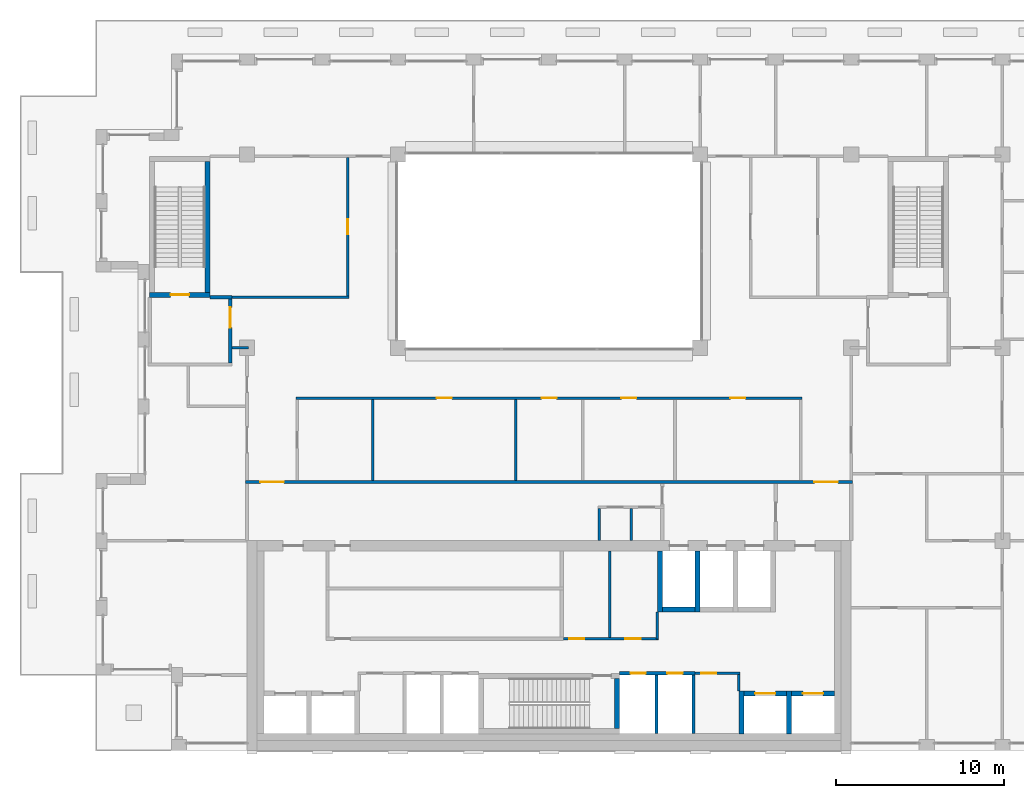
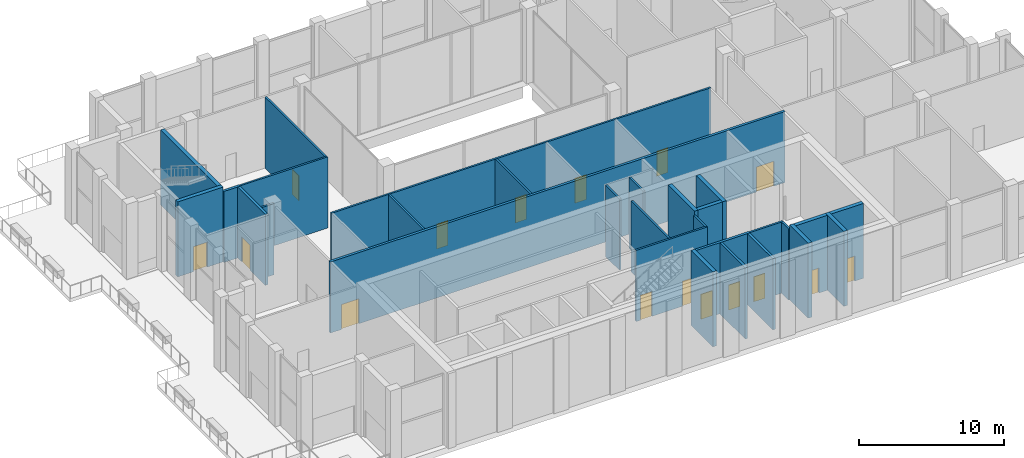
# One storey, part 13 of 18: 29 walls, 16 doors, 16 openings.
"""IFC4 building model written with IfcOpenShell, lengths in metres."""

from ifc_helpers import new_model, si_unit, direction, frame, frame_2d, origin, place, context, subcontext, project, spatial, rectangle, extrude, material, layer, layer_set, type_object, element, fill, save


model = new_model("IFC4")

# Units and contexts
model_context = context("Model", 3, precision=1e-05, world=origin(), true_north=direction((0.0, 1.0)))
body_context = subcontext(model_context, "Body", "Model", "MODEL_VIEW")
ifc_project = project(units=[si_unit("LENGTHUNIT", "METRE"), si_unit("AREAUNIT", "SQUARE_METRE"), si_unit("VOLUMEUNIT", "CUBIC_METRE"), si_unit("PLANEANGLEUNIT", "RADIAN"), si_unit("MASSUNIT", "GRAM", prefix="KILO")], contexts=[model_context])

# Site, building, storey
site_placement = place(None, origin())
site = spatial("IfcSite", under=ifc_project, at=site_placement, CompositionType="ELEMENT")
building_placement = place(site_placement, origin())
building = spatial("IfcBuilding", under=site, at=building_placement, Name="Brigalow Station Residences", CompositionType="ELEMENT")
storey_placement = place(building_placement, frame((0.0, 0.0, 191.699951171875)))
storey = spatial("IfcBuildingStorey", under=building, at=storey_placement, Name="L55", CompositionType="ELEMENT", Elevation=191.699951171875)

# Walls
ifc_material_1 = material(Name="Concrete C50", Category="concrete")
ifc_layer_1 = layer(ifc_material_1, 0.300048828125)
ifc_layer_set_1 = layer_set([ifc_layer_1], Name="CORE SHEAR WALL 300 C50")
wall_type_1 = type_object("IfcWallType", Name="CORE SHEAR WALL 300 C50", PredefinedType="SHEAR", material=ifc_layer_set_1)
wall_1_placement = place(storey_placement, frame((42.75, 8.39990234375, 0.0), z_axis=(0.0, 0.0, 1.0), x_axis=(1.0, 0.0, 0.0)))
element("IfcWall", 1, at=wall_1_placement, inside=storey, type_object=wall_type_1, Name="CORE WALL SH-FF1-S L55", PredefinedType="SHEAR", context=body_context, shape_type="SweptSolid", body=[
    extrude(rectangle(XDim=1.949951171875, YDim=0.300048828125, at=frame_2d((0.97509765625, 0.0))), origin(), (0.0, 0.0, 1.0), 6.300048828125),
])
for number, where, z_axis, x_axis, name in (
    (2, (42.60009765625, 8.25, 0.0), (0.0, 0.0, 1.0), (0.0, 1.0, 0.0), "CORE WALL SH-FF1-W L55"),
    (3, (44.85009765625, 8.25, 0.0), (0.0, 0.0, 1.0), (0.0, 1.0, 0.0), "CORE WALL SH-FF2-W L55"),
):
    element("IfcWall", number, at=place(storey_placement, frame(where, z_axis=z_axis, x_axis=x_axis)), inside=storey, type_object=wall_type_1, Name=name, PredefinedType="SHEAR", context=body_context, shape_type="SweptSolid", body=[
        extrude(rectangle(XDim=3.64990234375, YDim=0.300048828125, at=frame_2d((1.824951171875, 0.0))), origin(), (0.0, 0.0, 1.0), 6.300048828125),
    ])

# Wall, opening, door
wall_2_placement = place(storey_placement, frame((47.60009765625, 3.39990234375, 0.0), z_axis=(0.0, 0.0, 1.0), x_axis=(1.0, 0.0, 0.0)))
wall_2 = element("IfcWall", 4, at=wall_2_placement, inside=storey, type_object=wall_type_1, Name="CORE WALL SH-C3-N L55", PredefinedType="SHEAR", context=body_context, shape_type="SweptSolid", body=[
    extrude(rectangle(XDim=2.5498046875, YDim=0.300048828125, at=frame_2d((1.27490234375, 0.0))), origin(), (0.0, 0.0, 1.0), 6.300048828125),
])
opening_1_placement = place(wall_2_placement, frame((0.675048828125, 0.0, 0.0)))
opening_1 = element("IfcOpeningElement", 5, at=opening_1_placement, cuts=wall_2, Name="Opening LD-LB3", PredefinedType="OPENING", context=body_context, shape_type="SweptSolid", body=[
    extrude(rectangle(XDim=1.199951171875, YDim=2.10009765625, at=frame_2d((0.60009765625, 1.050048828125))), frame((0.0, 0.16015625, 0.0), z_axis=(0.0, -1.0, 0.0), x_axis=(1.0, 0.0, 0.0)), (0.0, 0.0, 1.0), 0.320068359375),
])
ifc_material_2 = material(Name="Stainless steel sliding door leaves", Category="steel")
door_type_1 = type_object("IfcDoorType", Name="LIFT LANDING DOOR 1200 x 2100", OperationType="DOUBLE_DOOR_SLIDING", PredefinedType="DOOR", material=ifc_material_2)
door_1_placement = place(opening_1_placement, origin())
door_1 = element("IfcDoor", 6, at=door_1_placement, inside=storey, type_object=door_type_1, Name="LANDING DOOR LB3", OperationType="DOUBLE_DOOR_SLIDING", OverallHeight=2.10009765625, OverallWidth=1.199951171875, PredefinedType="DOOR", context=body_context, shape_type="SweptSolid", body=[
    extrude(rectangle(XDim=1.199951171875, YDim=2.10009765625, at=frame_2d((0.60009765625, 1.050048828125))), frame((0.0, 0.02490234375, 0.0), z_axis=(0.0, -1.0, 0.0), x_axis=(1.0, 0.0, 0.0)), (0.0, 0.0, 1.0), 0.050048828125),
])
fill(opening_1, door_1)

# Wall
wall_3_placement = place(storey_placement, frame((47.449951171875, 1.0, 0.0), z_axis=(0.0, 0.0, 1.0), x_axis=(0.0, 1.0, 0.0)))
element("IfcWall", 7, at=wall_3_placement, inside=storey, type_object=wall_type_1, Name="CORE WALL SH-C3-W L55", PredefinedType="SHEAR", context=body_context, shape_type="SweptSolid", body=[
    extrude(rectangle(XDim=2.550048828125, YDim=0.300048828125, at=frame_2d((1.27490234375, 0.0))), origin(), (0.0, 0.0, 1.0), 6.300048828125),
])

# Wall, opening, door
wall_4_placement = place(storey_placement, frame((50.449951171875, 3.39990234375, 0.0), z_axis=(0.0, 0.0, 1.0), x_axis=(1.0, 0.0, 0.0)))
wall_4 = element("IfcWall", 8, at=wall_4_placement, inside=storey, type_object=wall_type_1, Name="CORE WALL SH-C4-N L55", PredefinedType="SHEAR", context=body_context, shape_type="SweptSolid", body=[
    extrude(rectangle(XDim=2.550048828125, YDim=0.300048828125, at=frame_2d((1.27490234375, 0.0))), origin(), (0.0, 0.0, 1.0), 6.300048828125),
])
opening_2_placement = place(wall_4_placement, frame((0.675048828125, 0.0, 0.0)))
opening_2 = element("IfcOpeningElement", 9, at=opening_2_placement, cuts=wall_4, Name="Opening LD-LB4", PredefinedType="OPENING", context=body_context, shape_type="SweptSolid", body=[
    extrude(rectangle(XDim=1.199951171875, YDim=2.10009765625, at=frame_2d((0.60009765625, 1.050048828125))), frame((0.0, 0.16015625, 0.0), z_axis=(0.0, -1.0, 0.0), x_axis=(1.0, 0.0, 0.0)), (0.0, 0.0, 1.0), 0.320068359375),
])
door_2_placement = place(opening_2_placement, origin())
door_2 = element("IfcDoor", 10, at=door_2_placement, inside=storey, type_object=door_type_1, Name="LANDING DOOR LB4", OperationType="DOUBLE_DOOR_SLIDING", OverallHeight=2.10009765625, OverallWidth=1.199951171875, PredefinedType="DOOR", context=body_context, shape_type="SweptSolid", body=[
    extrude(rectangle(XDim=1.199951171875, YDim=2.10009765625, at=frame_2d((0.60009765625, 1.050048828125))), frame((0.0, 0.02490234375, 0.0), z_axis=(0.0, -1.0, 0.0), x_axis=(1.0, 0.0, 0.0)), (0.0, 0.0, 1.0), 0.050048828125),
])
fill(opening_2, door_2)

# Walls
wall_5_placement = place(storey_placement, frame((50.300048828125, 1.0, 0.0), z_axis=(0.0, 0.0, 1.0), x_axis=(0.0, 1.0, 0.0)))
element("IfcWall", 11, at=wall_5_placement, inside=storey, type_object=wall_type_1, Name="CORE WALL SH-C4-W L55", PredefinedType="SHEAR", context=body_context, shape_type="SweptSolid", body=[
    extrude(rectangle(XDim=2.550048828125, YDim=0.300048828125, at=frame_2d((1.27490234375, 0.0))), origin(), (0.0, 0.0, 1.0), 6.300048828125),
])
wall_6_placement = place(storey_placement, frame((40.050048828125, 1.300048828125, 0.0), z_axis=(0.0, 0.0, 1.0), x_axis=(0.0, 1.0, 0.0)))
element("IfcWall", 12, at=wall_6_placement, inside=storey, type_object=wall_type_1, Name="CORE WALL ST-S2-E L55", PredefinedType="SHEAR", context=body_context, shape_type="SweptSolid", body=[
    extrude(rectangle(XDim=3.0, YDim=0.300048828125, at=frame_2d((1.5, 0.0))), origin(), (0.0, 0.0, 1.0), 6.300048828125),
])

# Wall, opening, door
wall_7_placement = place(storey_placement, frame((12.199951171875, 27.14990234375, 0.0), z_axis=(0.0, 0.0, 1.0), x_axis=(1.0, 0.0, 0.0)))
wall_7 = element("IfcWall", 13, at=wall_7_placement, inside=storey, type_object=wall_type_1, Name="CORE WALL ST-S1-S L55", PredefinedType="SHEAR", context=body_context, shape_type="SweptSolid", body=[
    extrude(rectangle(XDim=3.60009765625, YDim=0.300048828125, at=frame_2d((1.800048828125, 0.0))), origin(), (0.0, 0.0, 1.0), 6.300048828125),
])
opening_3_placement = place(wall_7_placement, frame((1.25, 0.0, 0.0)))
opening_3 = element("IfcOpeningElement", 14, at=opening_3_placement, cuts=wall_7, Name="Opening D-5015", PredefinedType="OPENING", context=body_context, shape_type="SweptSolid", body=[
    extrude(rectangle(XDim=1.10009765625, YDim=2.10009765625, at=frame_2d((0.550048828125, 1.050048828125))), frame((0.0, 0.16015625, 0.0), z_axis=(0.0, -1.0, 0.0), x_axis=(1.0, 0.0, 0.0)), (0.0, 0.0, 1.0), 0.320068359375),
])
ifc_material_3 = material(Name="Steel fire door leaf in steel frame", Category="steel")
door_type_2 = type_object("IfcDoorType", Name="STAIR DOOR 1100 x 2100 FD60S", OperationType="SINGLE_SWING_LEFT", PredefinedType="DOOR", material=ifc_material_3)
door_3_placement = place(opening_3_placement, origin())
door_3 = element("IfcDoor", 15, at=door_3_placement, inside=storey, type_object=door_type_2, Name="D-5015", OperationType="SINGLE_SWING_LEFT", OverallHeight=2.10009765625, OverallWidth=1.10009765625, PredefinedType="DOOR", context=body_context, shape_type="SweptSolid", body=[
    extrude(rectangle(XDim=1.10009765625, YDim=2.10009765625, at=frame_2d((0.550048828125, 1.050048828125))), frame((0.0, 0.02490234375, 0.0), z_axis=(0.0, -1.0, 0.0), x_axis=(1.0, 0.0, 0.0)), (0.0, 0.0, 1.0), 0.050048828125),
])
fill(opening_3, door_3)

# Wall
wall_8_placement = place(storey_placement, frame((15.64990234375, 27.300048828125, 0.0), z_axis=(0.0, 0.0, 1.0), x_axis=(0.0, 1.0, 0.0)))
element("IfcWall", 16, at=wall_8_placement, inside=storey, type_object=wall_type_1, Name="CORE WALL ST-S1-E L55", PredefinedType="SHEAR", context=body_context, shape_type="SweptSolid", body=[
    extrude(rectangle(XDim=7.800048828125, YDim=0.300048828125, at=frame_2d((3.89990234375, 0.0))), origin(), (0.0, 0.0, 1.0), 6.300048828125),
])

# Wall, openings, doors
ifc_material_4 = material(Name="Concrete blockwork", Category="masonry")
ifc_layer_2 = layer(ifc_material_4, 0.199951171875)
ifc_layer_set_2 = layer_set([ifc_layer_2], Name="FIRE RATED CORE PARTITION 200")
wall_type_2 = type_object("IfcWallType", Name="FIRE RATED CORE PARTITION 200", PredefinedType="PARTITIONING", material=ifc_layer_set_2)
wall_9_placement = place(storey_placement, frame((40.199951171875, 4.60009765625, 0.0), z_axis=(0.0, 0.0, 1.0), x_axis=(1.0, 0.0, 0.0)))
wall_9 = element("IfcWall", 17, at=wall_9_placement, inside=storey, type_object=wall_type_2, Name="PW-5018", PredefinedType="PARTITIONING", context=body_context, shape_type="SweptSolid", body=[
    extrude(rectangle(XDim=4.5, YDim=0.199951171875, at=frame_2d((2.25, 0.0))), origin(), (0.0, 0.0, 1.0), 5.97998046875),
])
opening_4_placement = place(wall_9_placement, frame((0.64990234375, 0.0, 0.0)))
opening_4 = element("IfcOpeningElement", 18, at=opening_4_placement, cuts=wall_9, Name="Opening D-5009", PredefinedType="OPENING", context=body_context, shape_type="SweptSolid", body=[
    extrude(rectangle(XDim=0.89990234375, YDim=2.10009765625, at=frame_2d((0.449951171875, 1.050048828125))), frame((0.0, 0.10986328125, 0.0), z_axis=(0.0, -1.0, 0.0), x_axis=(1.0, 0.0, 0.0)), (0.0, 0.0, 1.0), 0.219970703125),
])
opening_5_placement = place(wall_9_placement, frame((2.85009765625, 0.0, 0.0)))
opening_5 = element("IfcOpeningElement", 19, at=opening_5_placement, cuts=wall_9, Name="Opening D-5010", PredefinedType="OPENING", context=body_context, shape_type="SweptSolid", body=[
    extrude(rectangle(XDim=0.89990234375, YDim=2.10009765625, at=frame_2d((0.449951171875, 1.050048828125))), frame((0.0, 0.10986328125, 0.0), z_axis=(0.0, -1.0, 0.0), x_axis=(1.0, 0.0, 0.0)), (0.0, 0.0, 1.0), 0.219970703125),
])
ifc_material_5 = material(Name="Steel fire door leaf in steel frame", Category="steel")
door_type_3 = type_object("IfcDoorType", Name="RISER ACCESS DOOR 900 x 2100 FD120", OperationType="SINGLE_SWING_LEFT", PredefinedType="DOOR", material=ifc_material_5)
door_4_placement = place(opening_4_placement, frame((0.89990234375, 0.0, 0.0), z_axis=(0.0, 0.0, 1.0), x_axis=(-1.0, 0.0, 0.0)))
door_4 = element("IfcDoor", 20, at=door_4_placement, inside=storey, type_object=door_type_3, Name="D-5009", OperationType="SINGLE_SWING_LEFT", OverallHeight=2.10009765625, OverallWidth=0.89990234375, PredefinedType="DOOR", context=body_context, shape_type="SweptSolid", body=[
    extrude(rectangle(XDim=0.89990234375, YDim=2.10009765625, at=frame_2d((0.449951171875, 1.050048828125))), frame((0.0, 0.02490234375, 0.0), z_axis=(0.0, -1.0, 0.0), x_axis=(1.0, 0.0, 0.0)), (0.0, 0.0, 1.0), 0.050048828125),
])
fill(opening_4, door_4)
door_5_placement = place(opening_5_placement, frame((0.89990234375, 0.0, 0.0), z_axis=(0.0, 0.0, 1.0), x_axis=(-1.0, 0.0, 0.0)))
door_5 = element("IfcDoor", 21, at=door_5_placement, inside=storey, type_object=door_type_3, Name="D-5010", OperationType="SINGLE_SWING_LEFT", OverallHeight=2.10009765625, OverallWidth=0.89990234375, PredefinedType="DOOR", context=body_context, shape_type="SweptSolid", body=[
    extrude(rectangle(XDim=0.89990234375, YDim=2.10009765625, at=frame_2d((0.449951171875, 1.050048828125))), frame((0.0, 0.02490234375, 0.0), z_axis=(0.0, -1.0, 0.0), x_axis=(1.0, 0.0, 0.0)), (0.0, 0.0, 1.0), 0.050048828125),
])
fill(opening_5, door_5)

# Walls
wall_10_placement = place(storey_placement, frame((15.800048828125, 27.0, 0.0), z_axis=(0.0, 0.0, 1.0), x_axis=(1.0, 0.0, 0.0)))
element("IfcWall", 22, at=wall_10_placement, inside=storey, type_object=wall_type_2, Name="PW-5025", PredefinedType="PARTITIONING", context=body_context, shape_type="SweptSolid", body=[
    extrude(rectangle(XDim=1.300048828125, YDim=0.199951171875, at=frame_2d((0.64990234375, 0.0))), origin(), (0.0, 0.0, 1.0), 5.97998046875),
])
for number, where, z_axis, x_axis, name in (
    (23, (42.39990234375, 1.0, 0.0), (0.0, 0.0, 1.0), (0.0, 1.0, 0.0), "PW-5007"),
    (24, (44.60009765625, 1.0, 0.0), (0.0, 0.0, 1.0), (0.0, 1.0, 0.0), "PW-5008"),
):
    element("IfcWall", number, at=place(storey_placement, frame(where, z_axis=z_axis, x_axis=x_axis)), inside=storey, type_object=wall_type_2, Name=name, PredefinedType="PARTITIONING", context=body_context, shape_type="SweptSolid", body=[
        extrude(rectangle(XDim=3.5, YDim=0.199951171875, at=frame_2d((1.75, 0.0))), origin(), (0.0, 0.0, 1.0), 5.97998046875),
    ])

# Wall, opening, door
wall_11_placement = place(storey_placement, frame((17.0, 23.10009765625, 0.0), z_axis=(0.0, 0.0, 1.0), x_axis=(0.0, 1.0, 0.0)))
wall_11 = element("IfcWall", 25, at=wall_11_placement, inside=storey, type_object=wall_type_2, Name="PW-5035", PredefinedType="PARTITIONING", context=body_context, shape_type="SweptSolid", body=[
    extrude(rectangle(XDim=3.7998046875, YDim=0.199951171875, at=frame_2d((1.89990234375, 0.0))), origin(), (0.0, 0.0, 1.0), 5.97998046875),
])
opening_6_placement = place(wall_11_placement, frame((2.10009765625, 0.0, 0.0)))
opening_6 = element("IfcOpeningElement", 26, at=opening_6_placement, cuts=wall_11, Name="Opening D-5016", PredefinedType="OPENING", context=body_context, shape_type="SweptSolid", body=[
    extrude(rectangle(XDim=1.199951171875, YDim=2.10009765625, at=frame_2d((0.60009765625, 1.050048828125))), frame((0.0, 0.10986328125, 0.0), z_axis=(0.0, -1.0, 0.0), x_axis=(1.0, 0.0, 0.0)), (0.0, 0.0, 1.0), 0.219970703125),
])
ifc_material_6 = material(Name="Steel fire door leaf in steel frame", Category="steel")
door_type_4 = type_object("IfcDoorType", Name="STAIR LOBBY DOOR 1200 x 2100 FD60S", OperationType="SINGLE_SWING_LEFT", PredefinedType="DOOR", material=ifc_material_6)
door_6_placement = place(opening_6_placement, origin())
door_6 = element("IfcDoor", 27, at=door_6_placement, inside=storey, type_object=door_type_4, Name="D-5016", OperationType="SINGLE_SWING_RIGHT", OverallHeight=2.10009765625, OverallWidth=1.199951171875, PredefinedType="DOOR", context=body_context, shape_type="SweptSolid", body=[
    extrude(rectangle(XDim=1.199951171875, YDim=2.10009765625, at=frame_2d((0.60009765625, 1.050048828125))), frame((0.0, 0.02490234375, 0.0), z_axis=(0.0, -1.0, 0.0), x_axis=(1.0, 0.0, 0.0)), (0.0, 0.0, 1.0), 0.050048828125),
])
fill(opening_6, door_6)

# Wall, openings, doors
ifc_material_7 = material(Name="Plasterboard on steel stud partition", Category="steel")
ifc_layer_3 = layer(ifc_material_7, 0.14990234375)
ifc_layer_set_3 = layer_set([ifc_layer_3], Name="FLAT PARTITION 150")
wall_type_3 = type_object("IfcWallType", Name="FLAT PARTITION 150", PredefinedType="PARTITIONING", material=ifc_layer_set_3)
wall_12_placement = place(storey_placement, frame((20.925048828125, 21.0, 0.0), z_axis=(0.0, 0.0, 1.0), x_axis=(1.0, 0.0, 0.0)))
wall_12 = element("IfcWall", 28, at=wall_12_placement, inside=storey, type_object=wall_type_3, Name="PW-SA201", PredefinedType="PARTITIONING", context=body_context, shape_type="SweptSolid", body=[
    extrude(rectangle(XDim=30.14990234375, YDim=0.14990234375, at=frame_2d((15.074951171875, 0.0))), origin(), (0.0, 0.0, 1.0), 5.97998046875),
])
opening_7_placement = place(wall_12_placement, frame((8.375, 0.0, 0.0)))
opening_7 = element("IfcOpeningElement", 29, at=opening_7_placement, cuts=wall_12, Name="Opening D-SA217", PredefinedType="OPENING", context=body_context, shape_type="SweptSolid", body=[
    extrude(rectangle(XDim=0.89990234375, YDim=2.10009765625, at=frame_2d((0.449951171875, 1.050048828125))), frame((0.0, 0.0849609375, 0.0), z_axis=(0.0, -1.0, 0.0), x_axis=(1.0, 0.0, 0.0)), (0.0, 0.0, 1.0), 0.169921875),
])
opening_8_placement = place(wall_12_placement, frame((14.625, 0.0, 0.0)))
opening_8 = element("IfcOpeningElement", 30, at=opening_8_placement, cuts=wall_12, Name="Opening D-SA218", PredefinedType="OPENING", context=body_context, shape_type="SweptSolid", body=[
    extrude(rectangle(XDim=0.89990234375, YDim=2.10009765625, at=frame_2d((0.449951171875, 1.050048828125))), frame((0.0, 0.0849609375, 0.0), z_axis=(0.0, -1.0, 0.0), x_axis=(1.0, 0.0, 0.0)), (0.0, 0.0, 1.0), 0.169921875),
])
opening_9_placement = place(wall_12_placement, frame((19.375, 0.0, 0.0)))
opening_9 = element("IfcOpeningElement", 31, at=opening_9_placement, cuts=wall_12, Name="Opening D-SA219", PredefinedType="OPENING", context=body_context, shape_type="SweptSolid", body=[
    extrude(rectangle(XDim=0.89990234375, YDim=2.10009765625, at=frame_2d((0.449951171875, 1.050048828125))), frame((0.0, 0.0849609375, 0.0), z_axis=(0.0, -1.0, 0.0), x_axis=(1.0, 0.0, 0.0)), (0.0, 0.0, 1.0), 0.169921875),
])
opening_10_placement = place(wall_12_placement, frame((25.875, 0.0, 0.0)))
opening_10 = element("IfcOpeningElement", 32, at=opening_10_placement, cuts=wall_12, Name="Opening D-SA220", PredefinedType="OPENING", context=body_context, shape_type="SweptSolid", body=[
    extrude(rectangle(XDim=0.89990234375, YDim=2.10009765625, at=frame_2d((0.449951171875, 1.050048828125))), frame((0.0, 0.0849609375, 0.0), z_axis=(0.0, -1.0, 0.0), x_axis=(1.0, 0.0, 0.0)), (0.0, 0.0, 1.0), 0.169921875),
])
ifc_material_8 = material(Name="Solid-core timber door leaf", Category="wood")
door_type_5 = type_object("IfcDoorType", Name="INTERNAL DOOR 900 x 2100", OperationType="SINGLE_SWING_LEFT", PredefinedType="DOOR", material=ifc_material_8)
door_7_placement = place(opening_7_placement, frame((0.89990234375, 0.0, 0.0), z_axis=(0.0, 0.0, 1.0), x_axis=(-1.0, 0.0, 0.0)))
door_7 = element("IfcDoor", 33, at=door_7_placement, inside=storey, type_object=door_type_5, Name="D-SA217", OperationType="SINGLE_SWING_RIGHT", OverallHeight=2.10009765625, OverallWidth=0.89990234375, PredefinedType="DOOR", context=body_context, shape_type="SweptSolid", body=[
    extrude(rectangle(XDim=0.89990234375, YDim=2.10009765625, at=frame_2d((0.449951171875, 1.050048828125))), frame((0.0, 0.02490234375, 0.0), z_axis=(0.0, -1.0, 0.0), x_axis=(1.0, 0.0, 0.0)), (0.0, 0.0, 1.0), 0.050048828125),
])
fill(opening_7, door_7)
door_8_placement = place(opening_8_placement, frame((0.89990234375, 0.0, 0.0), z_axis=(0.0, 0.0, 1.0), x_axis=(-1.0, 0.0, 0.0)))
door_8 = element("IfcDoor", 34, at=door_8_placement, inside=storey, type_object=door_type_5, Name="D-SA218", OperationType="SINGLE_SWING_RIGHT", OverallHeight=2.10009765625, OverallWidth=0.89990234375, PredefinedType="DOOR", context=body_context, shape_type="SweptSolid", body=[
    extrude(rectangle(XDim=0.89990234375, YDim=2.10009765625, at=frame_2d((0.449951171875, 1.050048828125))), frame((0.0, 0.02490234375, 0.0), z_axis=(0.0, -1.0, 0.0), x_axis=(1.0, 0.0, 0.0)), (0.0, 0.0, 1.0), 0.050048828125),
])
fill(opening_8, door_8)
door_9_placement = place(opening_9_placement, frame((0.89990234375, 0.0, 0.0), z_axis=(0.0, 0.0, 1.0), x_axis=(-1.0, 0.0, 0.0)))
door_9 = element("IfcDoor", 35, at=door_9_placement, inside=storey, type_object=door_type_5, Name="D-SA219", OperationType="SINGLE_SWING_LEFT", OverallHeight=2.10009765625, OverallWidth=0.89990234375, PredefinedType="DOOR", context=body_context, shape_type="SweptSolid", body=[
    extrude(rectangle(XDim=0.89990234375, YDim=2.10009765625, at=frame_2d((0.449951171875, 1.050048828125))), frame((0.0, 0.02490234375, 0.0), z_axis=(0.0, -1.0, 0.0), x_axis=(1.0, 0.0, 0.0)), (0.0, 0.0, 1.0), 0.050048828125),
])
fill(opening_9, door_9)
door_10_placement = place(opening_10_placement, frame((0.89990234375, 0.0, 0.0), z_axis=(0.0, 0.0, 1.0), x_axis=(-1.0, 0.0, 0.0)))
door_10 = element("IfcDoor", 36, at=door_10_placement, inside=storey, type_object=door_type_5, Name="D-SA220", OperationType="SINGLE_SWING_RIGHT", OverallHeight=2.10009765625, OverallWidth=0.89990234375, PredefinedType="DOOR", context=body_context, shape_type="SweptSolid", body=[
    extrude(rectangle(XDim=0.89990234375, YDim=2.10009765625, at=frame_2d((0.449951171875, 1.050048828125))), frame((0.0, 0.02490234375, 0.0), z_axis=(0.0, -1.0, 0.0), x_axis=(1.0, 0.0, 0.0)), (0.0, 0.0, 1.0), 0.050048828125),
])
fill(opening_10, door_10)

# Walls
wall_13_placement = place(storey_placement, frame((17.10009765625, 27.0, 0.0), z_axis=(0.0, 0.0, 1.0), x_axis=(1.0, 0.0, 0.0)))
element("IfcWall", 37, at=wall_13_placement, inside=storey, type_object=wall_type_3, Name="PW-SA202", PredefinedType="PARTITIONING", context=body_context, shape_type="SweptSolid", body=[
    extrude(rectangle(XDim=6.974853515625, YDim=0.14990234375, at=frame_2d((3.4873046875, 0.0))), origin(), (0.0, 0.0, 1.0), 5.97998046875),
])
wall_14_placement = place(storey_placement, frame((17.10009765625, 24.0, 0.0), z_axis=(0.0, 0.0, 1.0), x_axis=(1.0, 0.0, 0.0)))
element("IfcWall", 38, at=wall_14_placement, inside=storey, type_object=wall_type_3, Name="PW-SA204", PredefinedType="PARTITIONING", context=body_context, shape_type="SweptSolid", body=[
    extrude(rectangle(XDim=0.974853515625, YDim=0.14990234375, at=frame_2d((0.4873046875, 0.0))), origin(), (0.0, 0.0, 1.0), 5.97998046875),
])

# Wall, opening, door
wall_15_placement = place(storey_placement, frame((24.0, 27.074951171875, 0.0), z_axis=(0.0, 0.0, 1.0), x_axis=(0.0, 1.0, 0.0)))
wall_15 = element("IfcWall", 39, at=wall_15_placement, inside=storey, type_object=wall_type_3, Name="PW-SA224", PredefinedType="PARTITIONING", context=body_context, shape_type="SweptSolid", body=[
    extrude(rectangle(XDim=8.25, YDim=0.14990234375, at=frame_2d((4.125, 0.0))), origin(), (0.0, 0.0, 1.0), 5.97998046875),
])
opening_11_placement = place(wall_15_placement, frame((3.675048828125, 0.0, 0.0)))
opening_11 = element("IfcOpeningElement", 40, at=opening_11_placement, cuts=wall_15, Name="Opening D-SA205", PredefinedType="OPENING", context=body_context, shape_type="SweptSolid", body=[
    extrude(rectangle(XDim=0.89990234375, YDim=2.10009765625, at=frame_2d((0.449951171875, 1.050048828125))), frame((0.0, 0.0849609375, 0.0), z_axis=(0.0, -1.0, 0.0), x_axis=(1.0, 0.0, 0.0)), (0.0, 0.0, 1.0), 0.169921875),
])
door_11_placement = place(opening_11_placement, origin())
door_11 = element("IfcDoor", 41, at=door_11_placement, inside=storey, type_object=door_type_5, Name="D-SA205", OperationType="SINGLE_SWING_LEFT", OverallHeight=2.10009765625, OverallWidth=0.89990234375, PredefinedType="DOOR", context=body_context, shape_type="SweptSolid", body=[
    extrude(rectangle(XDim=0.89990234375, YDim=2.10009765625, at=frame_2d((0.449951171875, 1.050048828125))), frame((0.0, 0.02490234375, 0.0), z_axis=(0.0, -1.0, 0.0), x_axis=(1.0, 0.0, 0.0)), (0.0, 0.0, 1.0), 0.050048828125),
])
fill(opening_11, door_11)

# Walls
for number, where, z_axis, x_axis, name in (
    (42, (25.5, 16.10009765625, 0.0), (0.0, 0.0, 1.0), (0.0, 1.0, 0.0), "PW-SA235"),
    (43, (34.0, 16.10009765625, 0.0), (0.0, 0.0, 1.0), (0.0, 1.0, 0.0), "PW-SA236"),
):
    element("IfcWall", number, at=place(storey_placement, frame(where, z_axis=z_axis, x_axis=x_axis)), inside=storey, type_object=wall_type_3, Name=name, PredefinedType="PARTITIONING", context=body_context, shape_type="SweptSolid", body=[
        extrude(rectangle(XDim=4.824951171875, YDim=0.14990234375, at=frame_2d((2.41259765625, 0.0))), origin(), (0.0, 0.0, 1.0), 5.97998046875),
    ])

# Wall, openings, doors
ifc_material_9 = material(Name="Plasterboard on steel stud partition", Category="steel")
ifc_layer_4 = layer(ifc_material_9, 0.199951171875)
ifc_layer_set_4 = layer_set([ifc_layer_4], Name="PARTY AND CORRIDOR WALL 200")
wall_type_4 = type_object("IfcWallType", Name="PARTY AND CORRIDOR WALL 200", PredefinedType="PARTITIONING", material=ifc_layer_set_4)
wall_16_placement = place(storey_placement, frame((17.925048828125, 16.0, 0.0), z_axis=(0.0, 0.0, 1.0), x_axis=(1.0, 0.0, 0.0)))
wall_16 = element("IfcWall", 44, at=wall_16_placement, inside=storey, type_object=wall_type_4, Name="PW-SA219", PredefinedType="PARTITIONING", context=body_context, shape_type="SweptSolid", body=[
    extrude(rectangle(XDim=36.14990234375, YDim=0.199951171875, at=frame_2d((18.074951171875, 0.0))), origin(), (0.0, 0.0, 1.0), 5.97998046875),
])
opening_12_placement = place(wall_16_placement, frame((0.875, 0.0, 0.0)))
opening_12 = element("IfcOpeningElement", 45, at=opening_12_placement, cuts=wall_16, Name="Opening D-SA201", PredefinedType="OPENING", context=body_context, shape_type="SweptSolid", body=[
    extrude(rectangle(XDim=1.39990234375, YDim=2.10009765625, at=frame_2d((0.699951171875, 1.050048828125))), frame((0.0, 0.10986328125, 0.0), z_axis=(0.0, -1.0, 0.0), x_axis=(1.0, 0.0, 0.0)), (0.0, 0.0, 1.0), 0.219970703125),
])
opening_13_placement = place(wall_16_placement, frame((33.875, 0.0, 0.0)))
opening_13 = element("IfcOpeningElement", 46, at=opening_13_placement, cuts=wall_16, Name="Opening D-SA202", PredefinedType="OPENING", context=body_context, shape_type="SweptSolid", body=[
    extrude(rectangle(XDim=1.39990234375, YDim=2.10009765625, at=frame_2d((0.699951171875, 1.050048828125))), frame((0.0, 0.10986328125, 0.0), z_axis=(0.0, -1.0, 0.0), x_axis=(1.0, 0.0, 0.0)), (0.0, 0.0, 1.0), 0.219970703125),
])
ifc_material_10 = material(Name="Solid-core timber door leaf", Category="wood")
door_type_6 = type_object("IfcDoorType", Name="CORRIDOR FIRE DOOR 1400 x 2100 FRL -/60/30", OperationType="DOUBLE_DOOR_SINGLE_SWING", PredefinedType="DOOR", material=ifc_material_10)
door_12_placement = place(opening_12_placement, frame((1.39990234375, 0.0, 0.0), z_axis=(0.0, 0.0, 1.0), x_axis=(-1.0, 0.0, 0.0)))
door_12 = element("IfcDoor", 47, at=door_12_placement, inside=storey, type_object=door_type_6, Name="D-SA201", OperationType="DOUBLE_DOOR_SINGLE_SWING", OverallHeight=2.10009765625, OverallWidth=1.39990234375, PredefinedType="DOOR", context=body_context, shape_type="SweptSolid", body=[
    extrude(rectangle(XDim=1.39990234375, YDim=2.10009765625, at=frame_2d((0.699951171875, 1.050048828125))), frame((0.0, 0.02490234375, 0.0), z_axis=(0.0, -1.0, 0.0), x_axis=(1.0, 0.0, 0.0)), (0.0, 0.0, 1.0), 0.050048828125),
])
fill(opening_12, door_12)
door_13_placement = place(opening_13_placement, frame((1.39990234375, 0.0, 0.0), z_axis=(0.0, 0.0, 1.0), x_axis=(-1.0, 0.0, 0.0)))
door_13 = element("IfcDoor", 48, at=door_13_placement, inside=storey, type_object=door_type_6, Name="D-SA202", OperationType="DOUBLE_DOOR_SINGLE_SWING", OverallHeight=2.10009765625, OverallWidth=1.39990234375, PredefinedType="DOOR", context=body_context, shape_type="SweptSolid", body=[
    extrude(rectangle(XDim=1.39990234375, YDim=2.10009765625, at=frame_2d((0.699951171875, 1.050048828125))), frame((0.0, 0.02490234375, 0.0), z_axis=(0.0, -1.0, 0.0), x_axis=(1.0, 0.0, 0.0)), (0.0, 0.0, 1.0), 0.050048828125),
])
fill(opening_13, door_13)

# Wall, opening, door
ifc_material_11 = material(Name="Plasterboard on steel studs", Category="steel")
ifc_layer_5 = layer(ifc_material_11, 0.14990234375)
ifc_layer_set_5 = layer_set([ifc_layer_5], Name="SERVICE ROOM PARTITION 150")
wall_type_5 = type_object("IfcWallType", Name="SERVICE ROOM PARTITION 150", PredefinedType="PARTITIONING", material=ifc_layer_set_5)
wall_17_placement = place(storey_placement, frame((44.699951171875, 4.60009765625, 0.0), z_axis=(0.0, 0.0, 1.0), x_axis=(1.0, 0.0, 0.0)))
wall_17 = element("IfcWall", 49, at=wall_17_placement, inside=storey, type_object=wall_type_5, Name="PW-5156", PredefinedType="PARTITIONING", context=body_context, shape_type="SweptSolid", body=[
    extrude(rectangle(XDim=2.675048828125, YDim=0.14990234375, at=frame_2d((1.33740234375, 0.0))), origin(), (0.0, 0.0, 1.0), 5.97998046875),
])
opening_14_placement = place(wall_17_placement, frame((0.35009765625, 0.0, 0.0)))
opening_14 = element("IfcOpeningElement", 50, at=opening_14_placement, cuts=wall_17, Name="Opening D-5026", PredefinedType="OPENING", context=body_context, shape_type="SweptSolid", body=[
    extrude(rectangle(XDim=0.89990234375, YDim=2.10009765625, at=frame_2d((0.449951171875, 1.050048828125))), frame((0.0, 0.0849609375, 0.0), z_axis=(0.0, -1.0, 0.0), x_axis=(1.0, 0.0, 0.0)), (0.0, 0.0, 1.0), 0.169921875),
])
ifc_material_12 = material(Name="Steel door leaf in steel frame", Category="steel")
door_type_7 = type_object("IfcDoorType", Name="SERVICE ROOM DOOR 900 x 2100 FD60", OperationType="SINGLE_SWING_LEFT", PredefinedType="DOOR", material=ifc_material_12)
door_14_placement = place(opening_14_placement, frame((0.89990234375, 0.0, 0.0), z_axis=(0.0, 0.0, 1.0), x_axis=(-1.0, 0.0, 0.0)))
door_14 = element("IfcDoor", 51, at=door_14_placement, inside=storey, type_object=door_type_7, Name="D-5026", OperationType="SINGLE_SWING_RIGHT", OverallHeight=2.10009765625, OverallWidth=0.89990234375, PredefinedType="DOOR", context=body_context, shape_type="SweptSolid", body=[
    extrude(rectangle(XDim=0.89990234375, YDim=2.10009765625, at=frame_2d((0.449951171875, 1.050048828125))), frame((0.0, 0.02490234375, 0.0), z_axis=(0.0, -1.0, 0.0), x_axis=(1.0, 0.0, 0.0)), (0.0, 0.0, 1.0), 0.050048828125),
])
fill(opening_14, door_14)

# Wall, openings, doors
wall_18_placement = place(storey_placement, frame((36.85009765625, 6.64990234375, 0.0), z_axis=(0.0, 0.0, 1.0), x_axis=(1.0, 0.0, 0.0)))
wall_18 = element("IfcWall", 52, at=wall_18_placement, inside=storey, type_object=wall_type_5, Name="PW-5260", PredefinedType="PARTITIONING", context=body_context, shape_type="SweptSolid", body=[
    extrude(rectangle(XDim=5.6748046875, YDim=0.14990234375, at=frame_2d((2.83740234375, 0.0))), origin(), (0.0, 0.0, 1.0), 5.97998046875),
])
opening_15_placement = place(wall_18_placement, frame((0.35009765625, 0.0, 0.0)))
opening_15 = element("IfcOpeningElement", 53, at=opening_15_placement, cuts=wall_18, Name="Opening D-5114", PredefinedType="OPENING", context=body_context, shape_type="SweptSolid", body=[
    extrude(rectangle(XDim=0.89990234375, YDim=2.10009765625, at=frame_2d((0.449951171875, 1.050048828125))), frame((0.0, 0.0849609375, 0.0), z_axis=(0.0, -1.0, 0.0), x_axis=(1.0, 0.0, 0.0)), (0.0, 0.0, 1.0), 0.169921875),
])
opening_16_placement = place(wall_18_placement, frame((3.699951171875, 0.0, 0.0)))
opening_16 = element("IfcOpeningElement", 54, at=opening_16_placement, cuts=wall_18, Name="Opening D-5115", PredefinedType="OPENING", context=body_context, shape_type="SweptSolid", body=[
    extrude(rectangle(XDim=0.89990234375, YDim=2.10009765625, at=frame_2d((0.449951171875, 1.050048828125))), frame((0.0, 0.0849609375, 0.0), z_axis=(0.0, -1.0, 0.0), x_axis=(1.0, 0.0, 0.0)), (0.0, 0.0, 1.0), 0.169921875),
])
door_15_placement = place(opening_15_placement, origin())
door_15 = element("IfcDoor", 55, at=door_15_placement, inside=storey, type_object=door_type_7, Name="D-5114", OperationType="SINGLE_SWING_LEFT", OverallHeight=2.10009765625, OverallWidth=0.89990234375, PredefinedType="DOOR", context=body_context, shape_type="SweptSolid", body=[
    extrude(rectangle(XDim=0.89990234375, YDim=2.10009765625, at=frame_2d((0.449951171875, 1.050048828125))), frame((0.0, 0.02490234375, 0.0), z_axis=(0.0, -1.0, 0.0), x_axis=(1.0, 0.0, 0.0)), (0.0, 0.0, 1.0), 0.050048828125),
])
fill(opening_15, door_15)
door_16_placement = place(opening_16_placement, origin())
door_16 = element("IfcDoor", 56, at=door_16_placement, inside=storey, type_object=door_type_7, Name="D-5115", OperationType="SINGLE_SWING_LEFT", OverallHeight=2.10009765625, OverallWidth=0.89990234375, PredefinedType="DOOR", context=body_context, shape_type="SweptSolid", body=[
    extrude(rectangle(XDim=0.89990234375, YDim=2.10009765625, at=frame_2d((0.449951171875, 1.050048828125))), frame((0.0, 0.02490234375, 0.0), z_axis=(0.0, -1.0, 0.0), x_axis=(1.0, 0.0, 0.0)), (0.0, 0.0, 1.0), 0.050048828125),
])
fill(opening_16, door_16)

# Walls
wall_19_placement = place(storey_placement, frame((47.300048828125, 3.550048828125, 0.0), z_axis=(0.0, 0.0, 1.0), x_axis=(0.0, 1.0, 0.0)))
element("IfcWall", 57, at=wall_19_placement, inside=storey, type_object=wall_type_5, Name="PW-5158", PredefinedType="PARTITIONING", context=body_context, shape_type="SweptSolid", body=[
    extrude(rectangle(XDim=0.974853515625, YDim=0.14990234375, at=frame_2d((0.4873046875, 0.0))), origin(), (0.0, 0.0, 1.0), 5.97998046875),
])
wall_20_placement = place(storey_placement, frame((42.449951171875, 6.64990234375, 0.0), z_axis=(0.0, 0.0, 1.0), x_axis=(0.0, 1.0, 0.0)))
element("IfcWall", 58, at=wall_20_placement, inside=storey, type_object=wall_type_5, Name="PW-5029", PredefinedType="PARTITIONING", context=body_context, shape_type="SweptSolid", body=[
    extrude(rectangle(XDim=1.60009765625, YDim=0.14990234375, at=frame_2d((0.800048828125, 0.0))), origin(), (0.0, 0.0, 1.0), 5.97998046875),
])
wall_21_placement = place(storey_placement, frame((39.60009765625, 6.72509765625, 0.0), z_axis=(0.0, 0.0, 1.0), x_axis=(0.0, 1.0, 0.0)))
element("IfcWall", 59, at=wall_21_placement, inside=storey, type_object=wall_type_5, Name="PW-5201", PredefinedType="PARTITIONING", context=body_context, shape_type="SweptSolid", body=[
    extrude(rectangle(XDim=5.1748046875, YDim=0.14990234375, at=frame_2d((2.58740234375, 0.0))), origin(), (0.0, 0.0, 1.0), 5.97998046875),
])
for number, where, z_axis, x_axis, name in (
    (60, (39.0, 12.5, 0.0), (0.0, 0.0, 1.0), (0.0, 1.0, 0.0), "PW-5136"),
    (61, (40.89990234375, 12.5, 0.0), (0.0, 0.0, 1.0), (0.0, 1.0, 0.0), "PW-5137"),
):
    element("IfcWall", number, at=place(storey_placement, frame(where, z_axis=z_axis, x_axis=x_axis)), inside=storey, type_object=wall_type_5, Name=name, PredefinedType="PARTITIONING", context=body_context, shape_type="SweptSolid", body=[
        extrude(rectangle(XDim=1.925048828125, YDim=0.14990234375, at=frame_2d((0.96240234375, 0.0))), origin(), (0.0, 0.0, 1.0), 5.97998046875),
    ])

save(model, "model.ifc")
